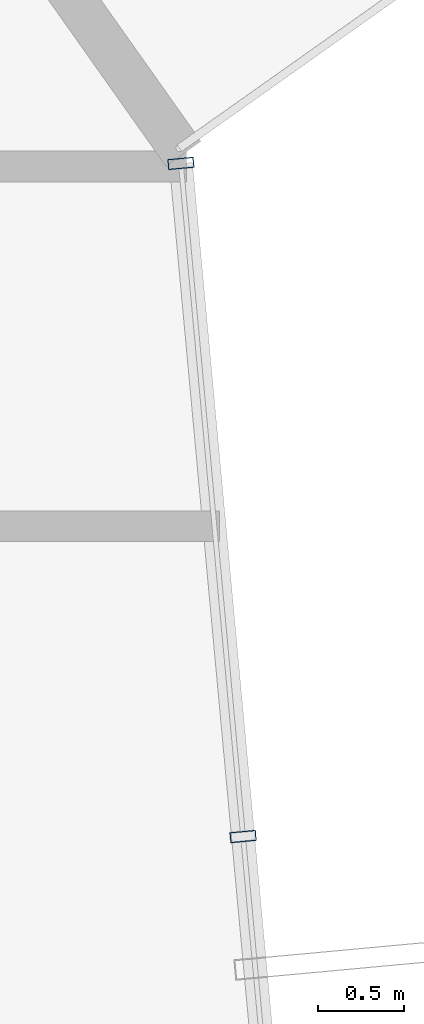
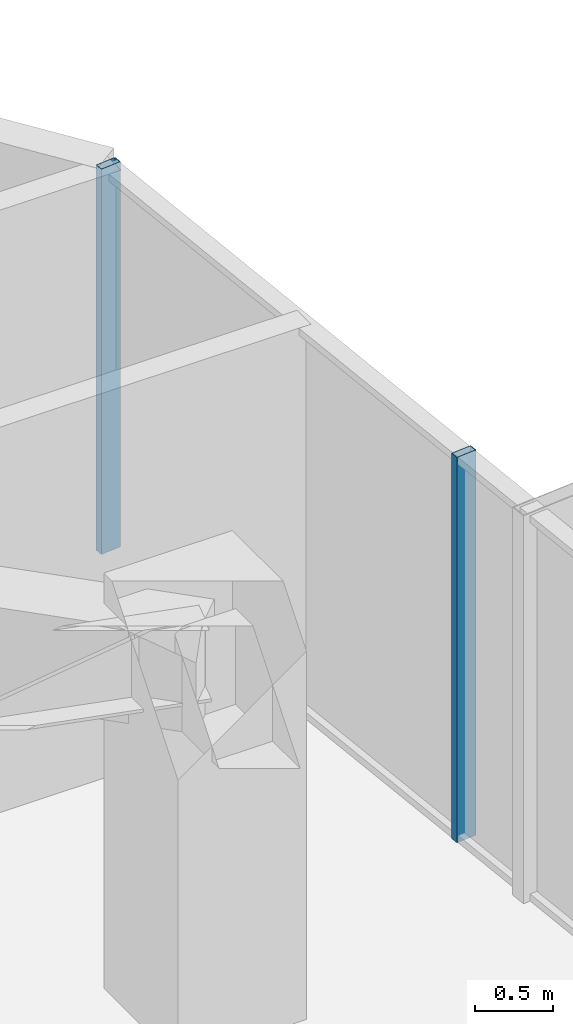
# One storey, part 20 of 32: 2 members, 1 element without a shape of its own.
"""IFC4 building model written with IfcOpenShell, lengths in metres."""

from ifc_helpers import new_model, si_unit, direction, frame, origin, origin_2d, place, context, subcontext, project, spatial, hollow_rectangle, extrude, source, transform, mapped, material, layer, layer_set, material_profile, profile_set, type_object, element, aggregate, save


model = new_model("IFC4")

# Units and contexts
model_context = context("Model", 3, precision=1e-05, world=origin(), true_north=direction((0.0, 1.0)))
body_context = subcontext(model_context, "Body", "Model", "MODEL_VIEW")
ifc_project = project(units=[si_unit("LENGTHUNIT", "METRE"), si_unit("AREAUNIT", "SQUARE_METRE"), si_unit("VOLUMEUNIT", "CUBIC_METRE"), si_unit("PLANEANGLEUNIT", "RADIAN"), si_unit("MASSUNIT", "GRAM", prefix="KILO")], contexts=[model_context])

# Site, building, storey
site_placement = place(None, origin())
site = spatial("IfcSite", under=ifc_project, at=site_placement, CompositionType="ELEMENT")
building_placement = place(site_placement, origin())
building = spatial("IfcBuilding", under=site, at=building_placement, Name="Veraguas Prism Commons", CompositionType="ELEMENT")
storey_placement = place(building_placement, frame((0.0, 0.0, 188.60009765625)))
storey = spatial("IfcBuildingStorey", under=building, at=storey_placement, Name="L53", CompositionType="ELEMENT", Elevation=188.60009765625)

# Curtain wall, members
ifc_material = material(Name="Anodised aluminium EN AW-6063 T6", Category="aluminium")
ifc_layer = layer(ifc_material, 0.14990234375, Name="Unitised Flush Curtain Wall Zone 3", Category="aluminium")
ifc_layer_set = layer_set([ifc_layer], Name="Anodised aluminium EN AW-6063 T6")
curtain_wall_type = type_object("IfcCurtainWallType", Name="Unitised Flush Curtain Wall Zone 3", PredefinedType="NOTDEFINED", material=ifc_layer_set)
curtain_wall_placement = place(storey_placement, origin())
curtain_wall = element("IfcCurtainWall", 1, at=curtain_wall_placement, inside=storey, type_object=curtain_wall_type, Name="Tower Facade Curtain Wall L53-F6", PredefinedType="NOTDEFINED")
ifc_material_profile = material_profile(ifc_material, hollow_rectangle(XDim=0.06005859375, YDim=0.14990234375, WallThickness=0.0029296875, at=origin_2d()), Name="AL60X150X3")
ifc_profile_set = profile_set([ifc_material_profile], Name="Anodised aluminium EN AW-6063 T6")
member_type = type_object("IfcMemberType", Name="Curtain Wall Mullion Upper AL 60x150x3", PredefinedType="MULLION", material=ifc_profile_set)
shared_shape = source(origin(), body_context, "Body", "SweptSolid", [
    extrude(hollow_rectangle(XDim=0.06005859375, YDim=0.14990234375, WallThickness=0.0029296875, at=origin_2d()), origin(), (0.0, 0.0, 1.0), 3.014892578125),
])
member_1_placement = place(storey_placement, frame((41.269287109375, 29.588623046875, 0.0), z_axis=(0.0, 0.0, 1.0), x_axis=(-0.092023008338, 0.995756880939, 0.0)))
member_1 = element("IfcMember", 2, at=member_1_placement, type_object=member_type, Name="CW-Z3 Mullion 4", PredefinedType="MULLION", context=body_context, shape_type="MappedRepresentation", body=[
    mapped(shared_shape, transform((0.0, 0.0, 0.0), scale=1.0)),
])
member_2_placement = place(storey_placement, frame((40.90625, 33.517333984375, 0.0), z_axis=(0.0, 0.0, 1.0), x_axis=(-0.092023008338, 0.995756880939, 0.0)))
member_2 = element("IfcMember", 3, at=member_2_placement, type_object=member_type, Name="CW-Z3 Mullion 5", PredefinedType="MULLION", context=body_context, shape_type="MappedRepresentation", body=[
    mapped(shared_shape, transform((0.0, 0.0, 0.0), scale=1.0)),
])
aggregate(curtain_wall, [member_1, member_2])

save(model, "model.ifc")
